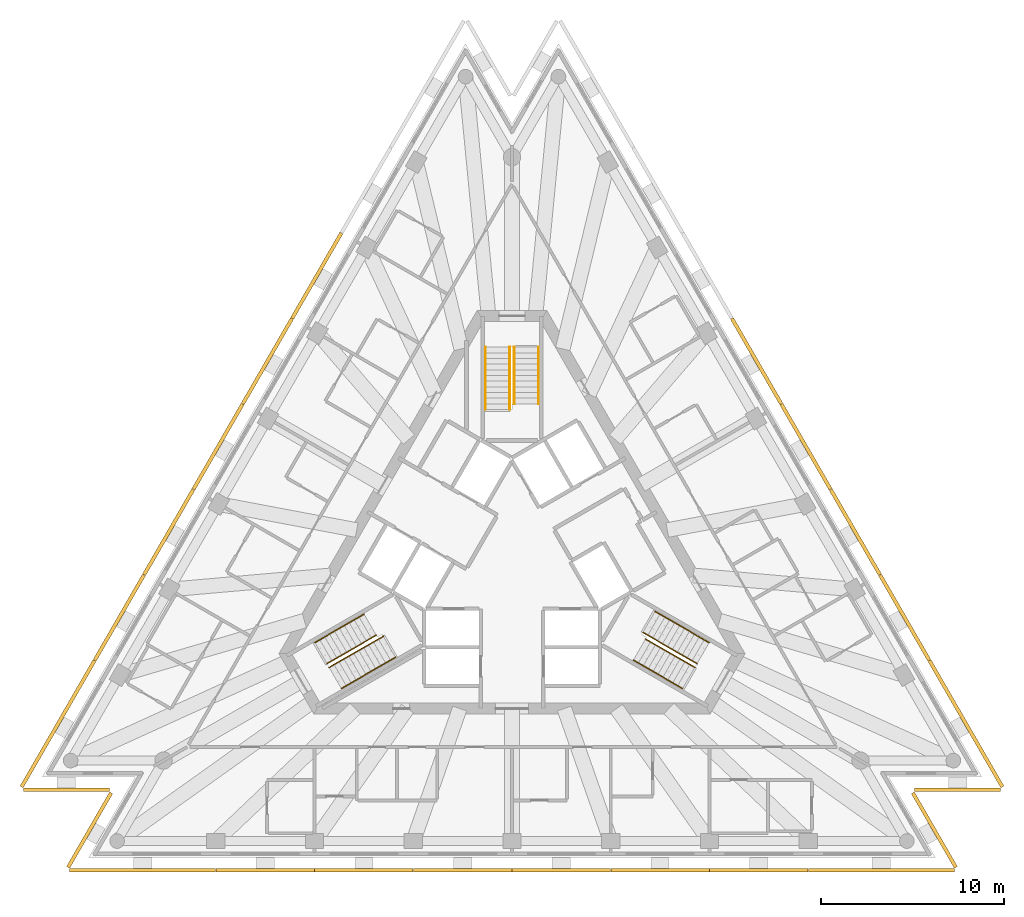
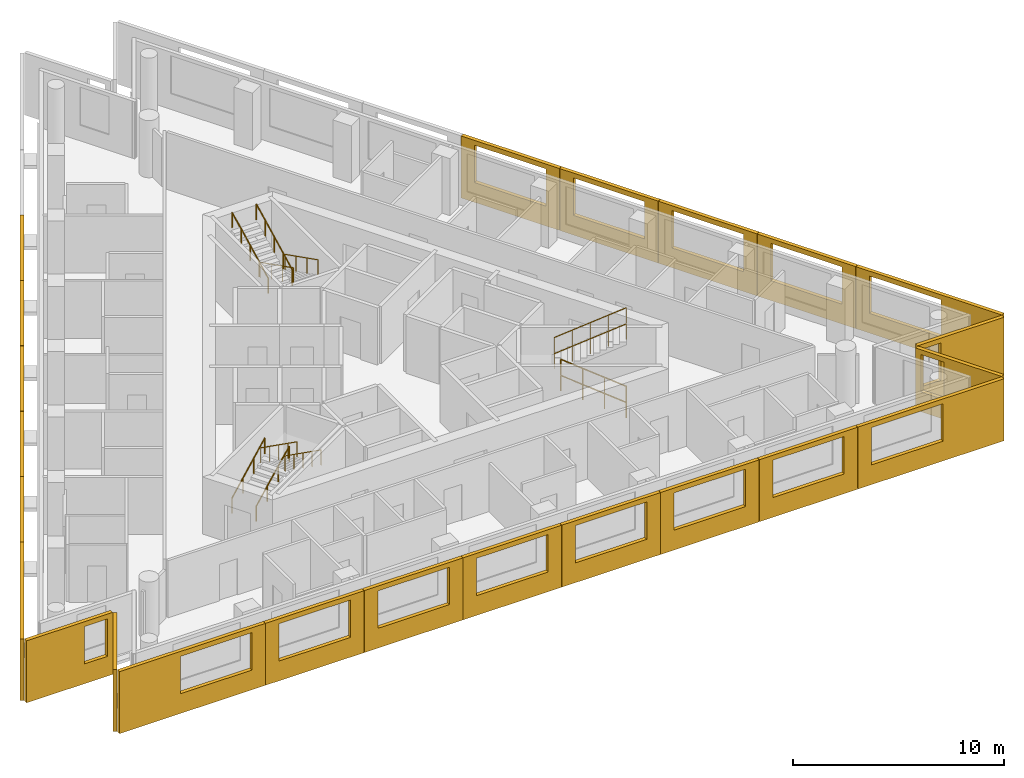
# One storey, part 9 of 10: 23 shading devices, 12 railings, 3 elements without a shape of their own.
"""IFC4 building model written with IfcOpenShell, lengths in metres."""

from ifc_helpers import new_model, si_unit, direction, frame, origin, origin_2d, place, context, subcontext, project, spatial, polyline, circle, outline, extrude, material, layer, layer_set, type_object, element, aggregate, save


model = new_model("IFC4")

# Units and contexts
model_context = context("Model", 3, precision=1e-05, world=origin(), true_north=direction((0.0, 1.0)))
body_context = subcontext(model_context, "Body", "Model", "MODEL_VIEW")
ifc_project = project(units=[si_unit("LENGTHUNIT", "METRE"), si_unit("AREAUNIT", "SQUARE_METRE"), si_unit("VOLUMEUNIT", "CUBIC_METRE"), si_unit("PLANEANGLEUNIT", "RADIAN"), si_unit("MASSUNIT", "GRAM", prefix="KILO")], contexts=[model_context])

# Site, building, storey
site_placement = place(None, origin())
site = spatial("IfcSite", under=ifc_project, at=site_placement, CompositionType="ELEMENT")
building_placement = place(site_placement, origin())
building = spatial("IfcBuilding", under=site, at=building_placement, Name="Triada Interchange Tower", CompositionType="ELEMENT")
storey_placement = place(building_placement, frame((0.0, 0.0, 293.5)))
storey = spatial("IfcBuildingStorey", under=building, at=storey_placement, Name="L69", CompositionType="ELEMENT", Elevation=293.5)

# Shading devices
ifc_material_1 = material(Name="Concrete C50/60 precast", Category="concrete")
ifc_layer_1 = layer(ifc_material_1, 0.02001953125, Name="Exposed aggregate face")
ifc_layer_2 = layer(ifc_material_1, 0.179931640625, Name="Precast concrete screen")
ifc_layer_set = layer_set([ifc_layer_1, ifc_layer_2], Name="Outer skin screen panel 3580")
shading_device_type = type_object("IfcShadingDeviceType", Name="Outer skin screen panel 3580", PredefinedType="SHUTTER", material=ifc_layer_set)
shading_device_1_placement = place(storey_placement, frame((-9.238037109375, 17.780029296875, -0.2900390625), z_axis=(0.0, 0.0, 1.0), x_axis=(-0.499920363698, -0.866071376943, 0.0)))
element("IfcShadingDevice", 1, at=shading_device_1_placement, inside=storey, type_object=shading_device_type, Name="Outer skin screen panel L69 03", PredefinedType="SHUTTER", context=body_context, shape_type="SweptSolid", body=[
    extrude(outline(polyline([(0.0, 0.0), (5.375, 0.0), (5.375, 3.580078125), (0.0, 3.580078125), (0.0, 0.0)]), holes=[polyline([(0.737548828125, 1.139892578125), (0.737548828125, 3.300048828125), (4.6376953125, 3.300048828125), (4.6376953125, 1.139892578125), (0.737548828125, 1.139892578125)])]), frame((0.0, 0.0, 0.0), z_axis=(0.0, -1.0, 0.0), x_axis=(1.0, 0.0, 0.0)), (0.0, 0.0, 1.0), 0.199951171875),
])
shading_device_2_placement = place(storey_placement, frame((-11.93505859375, 13.10791015625, -0.2900390625), z_axis=(0.0, 0.0, 1.0), x_axis=(-0.500018712038, -0.866014600115, 0.0)))
element("IfcShadingDevice", 2, at=shading_device_2_placement, inside=storey, type_object=shading_device_type, Name="Outer skin screen panel L69 04", PredefinedType="SHUTTER", context=body_context, shape_type="SweptSolid", body=[
    extrude(outline(polyline([(0.0, 0.0), (5.373779296875, 0.0), (5.373779296875, 3.580078125), (0.0, 3.580078125), (0.0, 0.0)]), holes=[polyline([(0.737060546875, 1.139892578125), (0.737060546875, 3.300048828125), (4.63720703125, 3.300048828125), (4.63720703125, 1.139892578125), (0.737060546875, 1.139892578125)])]), frame((0.0, 0.0, 0.0), z_axis=(0.0, -1.0, 0.0), x_axis=(1.0, 0.0, 0.0)), (0.0, 0.0, 1.0), 0.199951171875),
])
shading_device_3_placement = place(storey_placement, frame((-14.632080078125, 8.43603515625, -0.2900390625), z_axis=(0.0, 0.0, 1.0), x_axis=(-0.49999903979, -0.866025958161, 0.0)))
element("IfcShadingDevice", 3, at=shading_device_3_placement, inside=storey, type_object=shading_device_type, Name="Outer skin screen panel L69 05", PredefinedType="SHUTTER", context=body_context, shape_type="SweptSolid", body=[
    extrude(outline(polyline([(0.0, 0.0), (5.3740234375, 0.0), (5.3740234375, 3.580078125), (0.0, 3.580078125), (0.0, 0.0)]), holes=[polyline([(0.737548828125, 1.139892578125), (0.737548828125, 3.300048828125), (4.6376953125, 3.300048828125), (4.6376953125, 1.139892578125), (0.737548828125, 1.139892578125)])]), frame((0.0, 0.0, 0.0), z_axis=(0.0, -1.0, 0.0), x_axis=(1.0, 0.0, 0.0)), (0.0, 0.0, 1.0), 0.199951171875),
])
shading_device_4_placement = place(storey_placement, frame((-17.3291015625, 3.764892578125, -0.2900390625), z_axis=(0.0, 0.0, 1.0), x_axis=(-0.500076296064, -0.86598134975, 0.0)))
element("IfcShadingDevice", 4, at=shading_device_4_placement, inside=storey, type_object=shading_device_type, Name="Outer skin screen panel L69 06", PredefinedType="SHUTTER", context=body_context, shape_type="SweptSolid", body=[
    extrude(outline(polyline([(0.0, 0.0), (5.375244140625, 0.0), (5.375244140625, 3.580078125), (0.0, 3.580078125), (0.0, 0.0)]), holes=[polyline([(0.737060546875, 1.139892578125), (0.737060546875, 3.300048828125), (4.63720703125, 3.300048828125), (4.63720703125, 1.139892578125), (0.737060546875, 1.139892578125)])]), frame((0.0, 0.0, 0.0), z_axis=(0.0, -1.0, 0.0), x_axis=(1.0, 0.0, 0.0)), (0.0, 0.0, 1.0), 0.199951171875),
])
shading_device_5_placement = place(storey_placement, frame((-20.027099609375, -0.906982421875, -0.2900390625), z_axis=(0.0, 0.0, 1.0), x_axis=(-0.499920363698, -0.866071376943, 0.0)))
element("IfcShadingDevice", 5, at=shading_device_5_placement, inside=storey, type_object=shading_device_type, Name="Outer skin screen panel L69 07", PredefinedType="SHUTTER", context=body_context, shape_type="SweptSolid", body=[
    extrude(outline(polyline([(0.0, 0.0), (5.375, 0.0), (5.375, 3.580078125), (0.0, 3.580078125), (0.0, 0.0)]), holes=[polyline([(0.737548828125, 1.139892578125), (0.737548828125, 3.300048828125), (4.6376953125, 3.300048828125), (4.6376953125, 1.139892578125), (0.737548828125, 1.139892578125)])]), frame((0.0, 0.0, 0.0), z_axis=(0.0, -1.0, 0.0), x_axis=(1.0, 0.0, 0.0)), (0.0, 0.0, 1.0), 0.199951171875),
])
shading_device_6_placement = place(storey_placement, frame((-22.72412109375, -5.5791015625, -0.2900390625), z_axis=(0.0, 0.0, 1.0), x_axis=(-0.49999285859, -0.86602952684, 0.0)))
element("IfcShadingDevice", 6, at=shading_device_6_placement, inside=storey, type_object=shading_device_type, Name="Outer skin screen panel L69 08", PredefinedType="SHUTTER", context=body_context, shape_type="SweptSolid", body=[
    extrude(outline(polyline([(0.0, 0.0), (7.9716796875, 0.0), (7.9716796875, 3.580078125), (0.0, 3.580078125), (0.0, 0.0)]), holes=[polyline([(0.7373046875, 1.139892578125), (0.7373046875, 3.300048828125), (4.63720703125, 3.300048828125), (4.63720703125, 1.139892578125), (0.7373046875, 1.139892578125)])]), frame((0.0, 0.0, 0.0), z_axis=(0.0, -1.0, 0.0), x_axis=(1.0, 0.0, 0.0)), (0.0, 0.0, 1.0), 0.199951171875),
])
shading_device_7_placement = place(storey_placement, frame((-26.705078125, -12.491943359375, -0.2900390625), z_axis=(0.0, 0.0, 1.0), x_axis=(1.0, 0.0, 0.0)))
element("IfcShadingDevice", 7, at=shading_device_7_placement, inside=storey, type_object=shading_device_type, Name="Outer skin screen panel L69 09", PredefinedType="SHUTTER", context=body_context, shape_type="SweptSolid", body=[
    extrude(outline(polyline([(0.0, 0.0), (4.712158203125, 0.0), (4.712158203125, 3.580078125), (0.0, 3.580078125), (0.0, 0.0)]), holes=[polyline([(3.175048828125, 1.139892578125), (3.175048828125, 3.300048828125), (4.412109375, 3.300048828125), (4.412109375, 1.139892578125), (3.175048828125, 1.139892578125)])]), frame((0.0, 0.0, 0.0), z_axis=(0.0, -1.0, 0.0), x_axis=(1.0, 0.0, 0.0)), (0.0, 0.0, 1.0), 0.199951171875),
])
shading_device_8_placement = place(storey_placement, frame((-21.81396484375, -12.801025390625, -0.2900390625), z_axis=(0.0, 0.0, 1.0), x_axis=(-0.500051389167, -0.865995732202, 0.0)))
element("IfcShadingDevice", 8, at=shading_device_8_placement, inside=storey, type_object=shading_device_type, Name="Outer skin screen panel L69 10", PredefinedType="SHUTTER", context=body_context, shape_type="SweptSolid", body=[
    extrude(outline(polyline([(0.0, 0.0), (4.71142578125, 0.0), (4.71142578125, 3.580078125), (0.0, 3.580078125), (0.0, 0.0)]), holes=[polyline([(0.300048828125, 1.139892578125), (0.300048828125, 3.300048828125), (1.258056640625, 3.300048828125), (1.258056640625, 1.139892578125), (0.300048828125, 1.139892578125)])]), frame((0.0, 0.0, 0.0), z_axis=(0.0, -1.0, 0.0), x_axis=(1.0, 0.0, 0.0)), (0.0, 0.0, 1.0), 0.199951171875),
])
shading_device_9_placement = place(storey_placement, frame((-24.1650390625, -16.889892578125, -0.2900390625), z_axis=(0.0, 0.0, 1.0), x_axis=(1.0, 0.0, 0.0)))
element("IfcShadingDevice", 9, at=shading_device_9_placement, inside=storey, type_object=shading_device_type, Name="Outer skin screen panel L69 11", PredefinedType="SHUTTER", context=body_context, shape_type="SweptSolid", body=[
    extrude(outline(polyline([(0.0, 0.0), (7.971923828125, 0.0), (7.971923828125, 3.580078125), (0.0, 3.580078125), (0.0, 0.0)]), holes=[polyline([(3.3349609375, 1.139892578125), (3.3349609375, 3.300048828125), (7.235107421875, 3.300048828125), (7.235107421875, 1.139892578125), (3.3349609375, 1.139892578125)])]), frame((0.0, 0.0, 0.0), z_axis=(0.0, -1.0, 0.0), x_axis=(1.0, 0.0, 0.0)), (0.0, 0.0, 1.0), 0.199951171875),
])
shading_device_10_placement = place(storey_placement, frame((-16.173095703125, -16.889892578125, -0.2900390625), z_axis=(0.0, 0.0, 1.0), x_axis=(1.0, 0.0, 0.0)))
element("IfcShadingDevice", 10, at=shading_device_10_placement, inside=storey, type_object=shading_device_type, Name="Outer skin screen panel L69 12", PredefinedType="SHUTTER", context=body_context, shape_type="SweptSolid", body=[
    extrude(outline(polyline([(0.0, 0.0), (5.375, 0.0), (5.375, 3.580078125), (0.0, 3.580078125), (0.0, 0.0)]), holes=[polyline([(0.73681640625, 1.139892578125), (0.73681640625, 3.300048828125), (4.63671875, 3.300048828125), (4.63671875, 1.139892578125), (0.73681640625, 1.139892578125)])]), frame((0.0, 0.0, 0.0), z_axis=(0.0, -1.0, 0.0), x_axis=(1.0, 0.0, 0.0)), (0.0, 0.0, 1.0), 0.199951171875),
])
shading_device_11_placement = place(storey_placement, frame((-10.779052734375, -16.889892578125, -0.2900390625), z_axis=(0.0, 0.0, 1.0), x_axis=(1.0, 0.0, 0.0)))
element("IfcShadingDevice", 11, at=shading_device_11_placement, inside=storey, type_object=shading_device_type, Name="Outer skin screen panel L69 13", PredefinedType="SHUTTER", context=body_context, shape_type="SweptSolid", body=[
    extrude(outline(polyline([(0.0, 0.0), (5.375, 0.0), (5.375, 3.580078125), (0.0, 3.580078125), (0.0, 0.0)]), holes=[polyline([(0.737548828125, 1.139892578125), (0.737548828125, 3.300048828125), (4.637451171875, 3.300048828125), (4.637451171875, 1.139892578125), (0.737548828125, 1.139892578125)])]), frame((0.0, 0.0, 0.0), z_axis=(0.0, -1.0, 0.0), x_axis=(1.0, 0.0, 0.0)), (0.0, 0.0, 1.0), 0.199951171875),
])
shading_device_12_placement = place(storey_placement, frame((-5.384033203125, -16.889892578125, -0.2900390625), z_axis=(0.0, 0.0, 1.0), x_axis=(1.0, 0.0, 0.0)))
element("IfcShadingDevice", 12, at=shading_device_12_placement, inside=storey, type_object=shading_device_type, Name="Outer skin screen panel L69 14", PredefinedType="SHUTTER", context=body_context, shape_type="SweptSolid", body=[
    extrude(outline(polyline([(0.0, 0.0), (5.3740234375, 0.0), (5.3740234375, 3.580078125), (0.0, 3.580078125), (0.0, 0.0)]), holes=[polyline([(0.7373046875, 1.139892578125), (0.7373046875, 3.300048828125), (4.63720703125, 3.300048828125), (4.63720703125, 1.139892578125), (0.7373046875, 1.139892578125)])]), frame((0.0, 0.0, 0.0), z_axis=(0.0, -1.0, 0.0), x_axis=(1.0, 0.0, 0.0)), (0.0, 0.0, 1.0), 0.199951171875),
])
shading_device_13_placement = place(storey_placement, frame((0.010009765625, -16.889892578125, -0.2900390625), z_axis=(0.0, 0.0, 1.0), x_axis=(1.0, 0.0, 0.0)))
element("IfcShadingDevice", 13, at=shading_device_13_placement, inside=storey, type_object=shading_device_type, Name="Outer skin screen panel L69 15", PredefinedType="SHUTTER", context=body_context, shape_type="SweptSolid", body=[
    extrude(outline(polyline([(0.0, 0.0), (5.3740234375, 0.0), (5.3740234375, 3.580078125), (0.0, 3.580078125), (0.0, 0.0)]), holes=[polyline([(0.737060546875, 1.139892578125), (0.737060546875, 3.300048828125), (4.636962890625, 3.300048828125), (4.636962890625, 1.139892578125), (0.737060546875, 1.139892578125)])]), frame((0.0, 0.0, 0.0), z_axis=(0.0, -1.0, 0.0), x_axis=(1.0, 0.0, 0.0)), (0.0, 0.0, 1.0), 0.199951171875),
])
shading_device_14_placement = place(storey_placement, frame((5.404052734375, -16.889892578125, -0.2900390625), z_axis=(0.0, 0.0, 1.0), x_axis=(1.0, 0.0, 0.0)))
element("IfcShadingDevice", 14, at=shading_device_14_placement, inside=storey, type_object=shading_device_type, Name="Outer skin screen panel L69 16", PredefinedType="SHUTTER", context=body_context, shape_type="SweptSolid", body=[
    extrude(outline(polyline([(0.0, 0.0), (5.375, 0.0), (5.375, 3.580078125), (0.0, 3.580078125), (0.0, 0.0)]), holes=[polyline([(0.73681640625, 1.139892578125), (0.73681640625, 3.300048828125), (4.63671875, 3.300048828125), (4.63671875, 1.139892578125), (0.73681640625, 1.139892578125)])]), frame((0.0, 0.0, 0.0), z_axis=(0.0, -1.0, 0.0), x_axis=(1.0, 0.0, 0.0)), (0.0, 0.0, 1.0), 0.199951171875),
])
shading_device_15_placement = place(storey_placement, frame((10.798095703125, -16.889892578125, -0.2900390625), z_axis=(0.0, 0.0, 1.0), x_axis=(1.0, 0.0, 0.0)))
element("IfcShadingDevice", 15, at=shading_device_15_placement, inside=storey, type_object=shading_device_type, Name="Outer skin screen panel L69 17", PredefinedType="SHUTTER", context=body_context, shape_type="SweptSolid", body=[
    extrude(outline(polyline([(0.0, 0.0), (5.375, 0.0), (5.375, 3.580078125), (0.0, 3.580078125), (0.0, 0.0)]), holes=[polyline([(0.737548828125, 1.139892578125), (0.737548828125, 3.300048828125), (4.637451171875, 3.300048828125), (4.637451171875, 1.139892578125), (0.737548828125, 1.139892578125)])]), frame((0.0, 0.0, 0.0), z_axis=(0.0, -1.0, 0.0), x_axis=(1.0, 0.0, 0.0)), (0.0, 0.0, 1.0), 0.199951171875),
])
shading_device_16_placement = place(storey_placement, frame((16.193115234375, -16.889892578125, -0.2900390625), z_axis=(0.0, 0.0, 1.0), x_axis=(1.0, 0.0, 0.0)))
element("IfcShadingDevice", 16, at=shading_device_16_placement, inside=storey, type_object=shading_device_type, Name="Outer skin screen panel L69 18", PredefinedType="SHUTTER", context=body_context, shape_type="SweptSolid", body=[
    extrude(outline(polyline([(0.0, 0.0), (7.971923828125, 0.0), (7.971923828125, 3.580078125), (0.0, 3.580078125), (0.0, 0.0)]), holes=[polyline([(0.7373046875, 1.139892578125), (0.7373046875, 3.300048828125), (4.63720703125, 3.300048828125), (4.63720703125, 1.139892578125), (0.7373046875, 1.139892578125)])]), frame((0.0, 0.0, 0.0), z_axis=(0.0, -1.0, 0.0), x_axis=(1.0, 0.0, 0.0)), (0.0, 0.0, 1.0), 0.199951171875),
])
shading_device_17_placement = place(storey_placement, frame((24.169921875, -16.881103515625, -0.2900390625), z_axis=(0.0, 0.0, 1.0), x_axis=(-0.500051389167, 0.865995732202, 0.0)))
element("IfcShadingDevice", 17, at=shading_device_17_placement, inside=storey, type_object=shading_device_type, Name="Outer skin screen panel L69 19", PredefinedType="SHUTTER", context=body_context, shape_type="SweptSolid", body=[
    extrude(outline(polyline([(0.0, 0.0), (4.71142578125, 0.0), (4.71142578125, 3.580078125), (0.0, 3.580078125), (0.0, 0.0)]), holes=[polyline([(3.17529296875, 1.139892578125), (3.17529296875, 3.300048828125), (4.41162109375, 3.300048828125), (4.41162109375, 1.139892578125), (3.17529296875, 1.139892578125)])]), frame((0.0, 0.0, 0.0), z_axis=(0.0, -1.0, 0.0), x_axis=(1.0, 0.0, 0.0)), (0.0, 0.0, 1.0), 0.199951171875),
])
shading_device_18_placement = place(storey_placement, frame((21.992919921875, -12.491943359375, -0.2900390625), z_axis=(0.0, 0.0, 1.0), x_axis=(1.0, 0.0, 0.0)))
element("IfcShadingDevice", 18, at=shading_device_18_placement, inside=storey, type_object=shading_device_type, Name="Outer skin screen panel L69 20", PredefinedType="SHUTTER", context=body_context, shape_type="SweptSolid", body=[
    extrude(outline(polyline([(0.0, 0.0), (4.712158203125, 0.0), (4.712158203125, 3.580078125), (0.0, 3.580078125), (0.0, 0.0)]), holes=[polyline([(0.300048828125, 1.139892578125), (0.300048828125, 3.300048828125), (1.258056640625, 3.300048828125), (1.258056640625, 1.139892578125), (0.300048828125, 1.139892578125)])]), frame((0.0, 0.0, 0.0), z_axis=(0.0, -1.0, 0.0), x_axis=(1.0, 0.0, 0.0)), (0.0, 0.0, 1.0), 0.199951171875),
])
shading_device_19_placement = place(storey_placement, frame((26.7099609375, -12.48291015625, -0.2900390625), z_axis=(0.0, 0.0, 1.0), x_axis=(-0.49999285859, 0.86602952684, 0.0)))
element("IfcShadingDevice", 19, at=shading_device_19_placement, inside=storey, type_object=shading_device_type, Name="Outer skin screen panel L69 21", PredefinedType="SHUTTER", context=body_context, shape_type="SweptSolid", body=[
    extrude(outline(polyline([(0.0, 0.0), (7.9716796875, 0.0), (7.9716796875, 3.580078125), (0.0, 3.580078125), (0.0, 0.0)]), holes=[polyline([(3.335205078125, 1.139892578125), (3.335205078125, 3.300048828125), (7.2353515625, 3.300048828125), (7.2353515625, 1.139892578125), (3.335205078125, 1.139892578125)])]), frame((0.0, 0.0, 0.0), z_axis=(0.0, -1.0, 0.0), x_axis=(1.0, 0.0, 0.0)), (0.0, 0.0, 1.0), 0.199951171875),
])
shading_device_20_placement = place(storey_placement, frame((22.714111328125, -5.56201171875, -0.2900390625), z_axis=(0.0, 0.0, 1.0), x_axis=(-0.499920363698, 0.866071376943, 0.0)))
element("IfcShadingDevice", 20, at=shading_device_20_placement, inside=storey, type_object=shading_device_type, Name="Outer skin screen panel L69 22", PredefinedType="SHUTTER", context=body_context, shape_type="SweptSolid", body=[
    extrude(outline(polyline([(0.0, 0.0), (5.375, 0.0), (5.375, 3.580078125), (0.0, 3.580078125), (0.0, 0.0)]), holes=[polyline([(0.73681640625, 1.139892578125), (0.73681640625, 3.300048828125), (4.63671875, 3.300048828125), (4.63671875, 1.139892578125), (0.73681640625, 1.139892578125)])]), frame((0.0, 0.0, 0.0), z_axis=(0.0, -1.0, 0.0), x_axis=(1.0, 0.0, 0.0)), (0.0, 0.0, 1.0), 0.199951171875),
])
shading_device_21_placement = place(storey_placement, frame((20.01708984375, -0.889892578125, -0.2900390625), z_axis=(0.0, 0.0, 1.0), x_axis=(-0.500076296064, 0.86598134975, 0.0)))
element("IfcShadingDevice", 21, at=shading_device_21_placement, inside=storey, type_object=shading_device_type, Name="Outer skin screen panel L69 23", PredefinedType="SHUTTER", context=body_context, shape_type="SweptSolid", body=[
    extrude(outline(polyline([(0.0, 0.0), (5.375244140625, 0.0), (5.375244140625, 3.580078125), (0.0, 3.580078125), (0.0, 0.0)]), holes=[polyline([(0.7373046875, 1.139892578125), (0.7373046875, 3.300048828125), (4.63720703125, 3.300048828125), (4.63720703125, 1.139892578125), (0.7373046875, 1.139892578125)])]), frame((0.0, 0.0, 0.0), z_axis=(0.0, -1.0, 0.0), x_axis=(1.0, 0.0, 0.0)), (0.0, 0.0, 1.0), 0.199951171875),
])
shading_device_22_placement = place(storey_placement, frame((17.319091796875, 3.781982421875, -0.2900390625), z_axis=(0.0, 0.0, 1.0), x_axis=(-0.49999903979, 0.866025958161, 0.0)))
element("IfcShadingDevice", 22, at=shading_device_22_placement, inside=storey, type_object=shading_device_type, Name="Outer skin screen panel L69 24", PredefinedType="SHUTTER", context=body_context, shape_type="SweptSolid", body=[
    extrude(outline(polyline([(0.0, 0.0), (5.3740234375, 0.0), (5.3740234375, 3.580078125), (0.0, 3.580078125), (0.0, 0.0)]), holes=[polyline([(0.73681640625, 1.139892578125), (0.73681640625, 3.300048828125), (4.63671875, 3.300048828125), (4.63671875, 1.139892578125), (0.73681640625, 1.139892578125)])]), frame((0.0, 0.0, 0.0), z_axis=(0.0, -1.0, 0.0), x_axis=(1.0, 0.0, 0.0)), (0.0, 0.0, 1.0), 0.199951171875),
])
shading_device_23_placement = place(storey_placement, frame((14.6220703125, 8.4541015625, -0.2900390625), z_axis=(0.0, 0.0, 1.0), x_axis=(-0.500018712038, 0.866014600115, 0.0)))
element("IfcShadingDevice", 23, at=shading_device_23_placement, inside=storey, type_object=shading_device_type, Name="Outer skin screen panel L69 25", PredefinedType="SHUTTER", context=body_context, shape_type="SweptSolid", body=[
    extrude(outline(polyline([(0.0, 0.0), (5.373779296875, 0.0), (5.373779296875, 3.580078125), (0.0, 3.580078125), (0.0, 0.0)]), holes=[polyline([(0.7373046875, 1.139892578125), (0.7373046875, 3.300048828125), (4.63720703125, 3.300048828125), (4.63720703125, 1.139892578125), (0.7373046875, 1.139892578125)])]), frame((0.0, 0.0, 0.0), z_axis=(0.0, -1.0, 0.0), x_axis=(1.0, 0.0, 0.0)), (0.0, 0.0, 1.0), 0.199951171875),
])

# Stair, railings
ifc_material_2 = material(Name="Concrete C35/45", Category="concrete")
stair_type = type_object("IfcStairType", Name="HALF TURN STAIR 1400", PredefinedType="HALF_TURN_STAIR", material=ifc_material_2)
stair_1_placement = place(storey_placement, origin())
stair_1 = element("IfcStair", 24, at=stair_1_placement, inside=storey, type_object=stair_type, Name="Exit stair S68-1", PredefinedType="HALF_TURN_STAIR")
ifc_material_3 = material(Name="Stainless steel 1.4301", Category="steel")
railing_type = type_object("IfcRailingType", Name="STAIR HANDRAIL 900", PredefinedType="HANDRAIL", material=ifc_material_3)
railing_1_placement = place(storey_placement, frame((1.449951171875, 11.60009765625, 0.156494140625)))
railing_1 = element("IfcRailing", 25, at=railing_1_placement, type_object=railing_type, Name="Handrail S68-1 1W", PredefinedType="HANDRAIL", context=body_context, shape_type="SweptSolid", body=[
    extrude(circle(Radius=0.02392578125, at=origin_2d()), frame((0.0, 0.0, 0.8759765625), z_axis=(0.0, -0.89267693942, 0.450697106522), x_axis=(1.0, 0.0, 0.0)), (0.0, 0.0, 1.0), 3.472900390625),
    extrude(circle(Radius=0.02099609375, at=origin_2d()), origin(), (0.0, 0.0, 1.0), 0.851806640625),
    extrude(circle(Radius=0.02099609375, at=origin_2d()), frame((0.0, -1.033447265625, 0.521728515625)), (0.0, 0.0, 1.0), 0.851806640625),
    extrude(circle(Radius=0.02099609375, at=origin_2d()), frame((0.0, -2.066650390625, 1.04345703125)), (0.0, 0.0, 1.0), 0.851806640625),
    extrude(circle(Radius=0.02099609375, at=origin_2d()), frame((0.0, -3.10009765625, 1.565185546875)), (0.0, 0.0, 1.0), 0.851806640625),
])
railing_2_placement = place(storey_placement, frame((0.1201171875, 11.60009765625, 0.156494140625)))
railing_2 = element("IfcRailing", 26, at=railing_2_placement, type_object=railing_type, Name="Handrail S68-1 1C", PredefinedType="HANDRAIL", context=body_context, shape_type="SweptSolid", body=[
    extrude(circle(Radius=0.02392578125, at=origin_2d()), frame((0.0, 0.0, 0.8759765625), z_axis=(0.0, -0.89267693942, 0.450697106522), x_axis=(1.0, 0.0, 0.0)), (0.0, 0.0, 1.0), 3.472900390625),
    extrude(circle(Radius=0.02099609375, at=origin_2d()), origin(), (0.0, 0.0, 1.0), 0.851806640625),
    extrude(circle(Radius=0.02099609375, at=origin_2d()), frame((0.0, -1.033447265625, 0.521728515625)), (0.0, 0.0, 1.0), 0.851806640625),
    extrude(circle(Radius=0.02099609375, at=origin_2d()), frame((0.0, -2.066650390625, 1.04345703125)), (0.0, 0.0, 1.0), 0.851806640625),
    extrude(circle(Radius=0.02099609375, at=origin_2d()), frame((0.0, -3.10009765625, 1.565185546875)), (0.0, 0.0, 1.0), 0.851806640625),
])
railing_3_placement = place(storey_placement, frame((-1.449951171875, 8.18994140625, 1.878173828125)))
railing_3 = element("IfcRailing", 27, at=railing_3_placement, type_object=railing_type, Name="Handrail S68-1 2W", PredefinedType="HANDRAIL", context=body_context, shape_type="SweptSolid", body=[
    extrude(circle(Radius=0.02392578125, at=origin_2d()), frame((0.0, 0.0, 0.8759765625), z_axis=(0.0, 0.892682106939, 0.450686871287), x_axis=(-1.0, 0.0, 0.0)), (0.0, 0.0, 1.0), 3.820068359375),
    extrude(circle(Radius=0.02099609375, at=origin_2d()), origin(), (0.0, 0.0, 1.0), 0.851806640625),
    extrude(circle(Radius=0.02099609375, at=origin_2d()), frame((0.0, 0.8525390625, 0.430419921875)), (0.0, 0.0, 1.0), 0.851806640625),
    extrude(circle(Radius=0.02099609375, at=origin_2d()), frame((0.0, 1.705078125, 0.86083984375)), (0.0, 0.0, 1.0), 0.851806640625),
    extrude(circle(Radius=0.02099609375, at=origin_2d()), frame((0.0, 2.5576171875, 1.291259765625)), (0.0, 0.0, 1.0), 0.851806640625),
    extrude(circle(Radius=0.02099609375, at=origin_2d()), frame((0.0, 3.41015625, 1.7216796875)), (0.0, 0.0, 1.0), 0.851806640625),
])
railing_4_placement = place(storey_placement, frame((-0.1201171875, 8.18994140625, 1.878173828125)))
railing_4 = element("IfcRailing", 28, at=railing_4_placement, type_object=railing_type, Name="Handrail S68-1 2C", PredefinedType="HANDRAIL", context=body_context, shape_type="SweptSolid", body=[
    extrude(circle(Radius=0.02392578125, at=origin_2d()), frame((0.0, 0.0, 0.8759765625), z_axis=(0.0, 0.892682106939, 0.450686871287), x_axis=(-1.0, 0.0, 0.0)), (0.0, 0.0, 1.0), 3.820068359375),
    extrude(circle(Radius=0.02099609375, at=origin_2d()), origin(), (0.0, 0.0, 1.0), 0.851806640625),
    extrude(circle(Radius=0.02099609375, at=origin_2d()), frame((0.0, 0.8525390625, 0.430419921875)), (0.0, 0.0, 1.0), 0.851806640625),
    extrude(circle(Radius=0.02099609375, at=origin_2d()), frame((0.0, 1.705078125, 0.86083984375)), (0.0, 0.0, 1.0), 0.851806640625),
    extrude(circle(Radius=0.02099609375, at=origin_2d()), frame((0.0, 2.5576171875, 1.291259765625)), (0.0, 0.0, 1.0), 0.851806640625),
    extrude(circle(Radius=0.02099609375, at=origin_2d()), frame((0.0, 3.41015625, 1.7216796875)), (0.0, 0.0, 1.0), 0.851806640625),
])
aggregate(stair_1, [railing_1, railing_2, railing_3, railing_4])

stair_2_placement = place(storey_placement, origin())
stair_2 = element("IfcStair", 29, at=stair_2_placement, inside=storey, type_object=stair_type, Name="Exit stair S68-2", PredefinedType="HALF_TURN_STAIR")
railing_5_placement = place(storey_placement, frame((-10.77099609375, -4.5439453125, 0.156494140625)))
railing_5 = element("IfcRailing", 30, at=railing_5_placement, type_object=railing_type, Name="Handrail S68-2 1W", PredefinedType="HANDRAIL", context=body_context, shape_type="SweptSolid", body=[
    extrude(circle(Radius=0.02392578125, at=origin_2d()), frame((0.0, 0.0, 0.8759765625), z_axis=(0.773115112249, 0.446309133267, 0.4506674836), x_axis=(-0.499958760481, 0.866049212123, 0.0)), (0.0, 0.0, 1.0), 3.47314453125),
    extrude(circle(Radius=0.02099609375, at=origin_2d()), origin(), (0.0, 0.0, 1.0), 0.851806640625),
    extrude(circle(Radius=0.02099609375, at=origin_2d()), frame((0.89501953125, 0.5166015625, 0.521728515625)), (0.0, 0.0, 1.0), 0.851806640625),
    extrude(circle(Radius=0.02099609375, at=origin_2d()), frame((1.7900390625, 1.033447265625, 1.04345703125)), (0.0, 0.0, 1.0), 0.851806640625),
    extrude(circle(Radius=0.02099609375, at=origin_2d()), frame((2.68505859375, 1.550048828125, 1.565185546875)), (0.0, 0.0, 1.0), 0.851806640625),
])
railing_6_placement = place(storey_placement, frame((-10.10595703125, -5.696044921875, 0.156494140625)))
railing_6 = element("IfcRailing", 31, at=railing_6_placement, type_object=railing_type, Name="Handrail S68-2 1C", PredefinedType="HANDRAIL", context=body_context, shape_type="SweptSolid", body=[
    extrude(circle(Radius=0.02392578125, at=origin_2d()), frame((0.0, 0.0, 0.8759765625), z_axis=(0.773115112249, 0.446309133267, 0.4506674836), x_axis=(-0.499958760481, 0.866049212123, 0.0)), (0.0, 0.0, 1.0), 3.47314453125),
    extrude(circle(Radius=0.02099609375, at=origin_2d()), origin(), (0.0, 0.0, 1.0), 0.851806640625),
    extrude(circle(Radius=0.02099609375, at=origin_2d()), frame((0.89501953125, 0.5166015625, 0.521728515625)), (0.0, 0.0, 1.0), 0.851806640625),
    extrude(circle(Radius=0.02099609375, at=origin_2d()), frame((1.7900390625, 1.033447265625, 1.04345703125)), (0.0, 0.0, 1.0), 0.851806640625),
    extrude(circle(Radius=0.02099609375, at=origin_2d()), frame((2.68505859375, 1.550048828125, 1.565185546875)), (0.0, 0.0, 1.0), 0.851806640625),
])
railing_7_placement = place(storey_placement, frame((-6.367919921875, -5.35107421875, 1.878173828125)))
railing_7 = element("IfcRailing", 32, at=railing_7_placement, type_object=railing_type, Name="Handrail S68-2 2W", PredefinedType="HANDRAIL", context=body_context, shape_type="SweptSolid", body=[
    extrude(circle(Radius=0.02392578125, at=origin_2d()), frame((0.0, 0.0, 0.8759765625), z_axis=(-0.773090904651, -0.446304049866, 0.450714042625), x_axis=(0.499966231165, -0.866044899352, 0.0)), (0.0, 0.0, 1.0), 3.81982421875),
    extrude(circle(Radius=0.02099609375, at=origin_2d()), origin(), (0.0, 0.0, 1.0), 0.851806640625),
    extrude(circle(Radius=0.02099609375, at=origin_2d()), frame((-0.73828125, -0.42626953125, 0.430419921875)), (0.0, 0.0, 1.0), 0.851806640625),
    extrude(circle(Radius=0.02099609375, at=origin_2d()), frame((-1.4765625, -0.8525390625, 0.86083984375)), (0.0, 0.0, 1.0), 0.851806640625),
    extrude(circle(Radius=0.02099609375, at=origin_2d()), frame((-2.21484375, -1.278564453125, 1.291259765625)), (0.0, 0.0, 1.0), 0.851806640625),
    extrude(circle(Radius=0.02099609375, at=origin_2d()), frame((-2.953125, -1.704833984375, 1.7216796875)), (0.0, 0.0, 1.0), 0.851806640625),
])
railing_8_placement = place(storey_placement, frame((-7.032958984375, -4.198974609375, 1.878173828125)))
railing_8 = element("IfcRailing", 33, at=railing_8_placement, type_object=railing_type, Name="Handrail S68-2 2C", PredefinedType="HANDRAIL", context=body_context, shape_type="SweptSolid", body=[
    extrude(circle(Radius=0.02392578125, at=origin_2d()), frame((0.0, 0.0, 0.8759765625), z_axis=(-0.773068851904, -0.446355229968, 0.450701185816), x_axis=(0.50001992892, -0.866013897511, 0.0)), (0.0, 0.0, 1.0), 3.820068359375),
    extrude(circle(Radius=0.02099609375, at=origin_2d()), origin(), (0.0, 0.0, 1.0), 0.851806640625),
    extrude(circle(Radius=0.02099609375, at=origin_2d()), frame((-0.73828125, -0.42626953125, 0.430419921875)), (0.0, 0.0, 1.0), 0.851806640625),
    extrude(circle(Radius=0.02099609375, at=origin_2d()), frame((-1.4765625, -0.8525390625, 0.86083984375)), (0.0, 0.0, 1.0), 0.851806640625),
    extrude(circle(Radius=0.02099609375, at=origin_2d()), frame((-2.21484375, -1.27880859375, 1.291259765625)), (0.0, 0.0, 1.0), 0.851806640625),
    extrude(circle(Radius=0.02099609375, at=origin_2d()), frame((-2.953125, -1.705078125, 1.7216796875)), (0.0, 0.0, 1.0), 0.851806640625),
])
aggregate(stair_2, [railing_5, railing_6, railing_7, railing_8])

stair_3_placement = place(storey_placement, origin())
stair_3 = element("IfcStair", 34, at=stair_3_placement, inside=storey, type_object=stair_type, Name="Exit stair S68-3", PredefinedType="HALF_TURN_STAIR")
railing_9_placement = place(storey_placement, frame((9.321044921875, -7.055908203125, 0.156494140625)))
railing_9 = element("IfcRailing", 35, at=railing_9_placement, type_object=railing_type, Name="Handrail S68-3 1W", PredefinedType="HANDRAIL", context=body_context, shape_type="SweptSolid", body=[
    extrude(circle(Radius=0.02392578125, at=origin_2d()), frame((0.0, 0.0, 0.8759765625), z_axis=(-0.773139366989, 0.446252837029, 0.450681622274), x_axis=(-0.499899694197, -0.866083307622, 0.0)), (0.0, 0.0, 1.0), 3.472900390625),
    extrude(circle(Radius=0.02099609375, at=origin_2d()), origin(), (0.0, 0.0, 1.0), 0.851806640625),
    extrude(circle(Radius=0.02099609375, at=origin_2d()), frame((-0.89501953125, 0.5166015625, 0.521728515625)), (0.0, 0.0, 1.0), 0.851806640625),
    extrude(circle(Radius=0.02099609375, at=origin_2d()), frame((-1.7900390625, 1.033203125, 1.04345703125)), (0.0, 0.0, 1.0), 0.851806640625),
    extrude(circle(Radius=0.02099609375, at=origin_2d()), frame((-2.68505859375, 1.5498046875, 1.565185546875)), (0.0, 0.0, 1.0), 0.851806640625),
])
railing_10_placement = place(storey_placement, frame((9.986083984375, -5.904052734375, 0.156494140625)))
railing_10 = element("IfcRailing", 36, at=railing_10_placement, type_object=railing_type, Name="Handrail S68-3 1C", PredefinedType="HANDRAIL", context=body_context, shape_type="SweptSolid", body=[
    extrude(circle(Radius=0.02392578125, at=origin_2d()), frame((0.0, 0.0, 0.8759765625), z_axis=(-0.773115112249, 0.446309133267, 0.4506674836), x_axis=(-0.499958760481, -0.866049212123, 0.0)), (0.0, 0.0, 1.0), 3.47314453125),
    extrude(circle(Radius=0.02099609375, at=origin_2d()), origin(), (0.0, 0.0, 1.0), 0.851806640625),
    extrude(circle(Radius=0.02099609375, at=origin_2d()), frame((-0.89501953125, 0.5166015625, 0.521728515625)), (0.0, 0.0, 1.0), 0.851806640625),
    extrude(circle(Radius=0.02099609375, at=origin_2d()), frame((-1.7900390625, 1.033447265625, 1.04345703125)), (0.0, 0.0, 1.0), 0.851806640625),
    extrude(circle(Radius=0.02099609375, at=origin_2d()), frame((-2.68505859375, 1.550048828125, 1.565185546875)), (0.0, 0.0, 1.0), 0.851806640625),
])
railing_11_placement = place(storey_placement, frame((7.818115234375, -2.839111328125, 1.878173828125)))
railing_11 = element("IfcRailing", 37, at=railing_11_placement, type_object=railing_type, Name="Handrail S68-3 2W", PredefinedType="HANDRAIL", context=body_context, shape_type="SweptSolid", body=[
    extrude(circle(Radius=0.02392578125, at=origin_2d()), frame((0.0, 0.0, 0.8759765625), z_axis=(0.773065188623, -0.4463261027, 0.450736313367), x_axis=(0.499997234054, 0.866027000698, 0.0)), (0.0, 0.0, 1.0), 3.81982421875),
    extrude(circle(Radius=0.02099609375, at=origin_2d()), origin(), (0.0, 0.0, 1.0), 0.851806640625),
    extrude(circle(Radius=0.02099609375, at=origin_2d()), frame((0.73828125, -0.42626953125, 0.430419921875)), (0.0, 0.0, 1.0), 0.851806640625),
    extrude(circle(Radius=0.02099609375, at=origin_2d()), frame((1.4765625, -0.8525390625, 0.86083984375)), (0.0, 0.0, 1.0), 0.851806640625),
    extrude(circle(Radius=0.02099609375, at=origin_2d()), frame((2.214599609375, -1.278564453125, 1.291259765625)), (0.0, 0.0, 1.0), 0.851806640625),
    extrude(circle(Radius=0.02099609375, at=origin_2d()), frame((2.952880859375, -1.704833984375, 1.7216796875)), (0.0, 0.0, 1.0), 0.851806640625),
])
railing_12_placement = place(storey_placement, frame((7.153076171875, -3.990966796875, 1.878173828125)))
railing_12 = element("IfcRailing", 38, at=railing_12_placement, type_object=railing_type, Name="Handrail S68-3 2C", PredefinedType="HANDRAIL", context=body_context, shape_type="SweptSolid", body=[
    extrude(circle(Radius=0.02392578125, at=origin_2d()), frame((0.0, 0.0, 0.8759765625), z_axis=(0.773043134431, -0.446377284073, 0.450723454651), x_axis=(0.500050932918, 0.865995995653, 0.0)), (0.0, 0.0, 1.0), 3.81982421875),
    extrude(circle(Radius=0.02099609375, at=origin_2d()), origin(), (0.0, 0.0, 1.0), 0.851806640625),
    extrude(circle(Radius=0.02099609375, at=origin_2d()), frame((0.73828125, -0.42626953125, 0.430419921875)), (0.0, 0.0, 1.0), 0.851806640625),
    extrude(circle(Radius=0.02099609375, at=origin_2d()), frame((1.4765625, -0.8525390625, 0.86083984375)), (0.0, 0.0, 1.0), 0.851806640625),
    extrude(circle(Radius=0.02099609375, at=origin_2d()), frame((2.214599609375, -1.27880859375, 1.291259765625)), (0.0, 0.0, 1.0), 0.851806640625),
    extrude(circle(Radius=0.02099609375, at=origin_2d()), frame((2.952880859375, -1.705078125, 1.7216796875)), (0.0, 0.0, 1.0), 0.851806640625),
])
aggregate(stair_3, [railing_9, railing_10, railing_11, railing_12])

save(model, "model.ifc")
